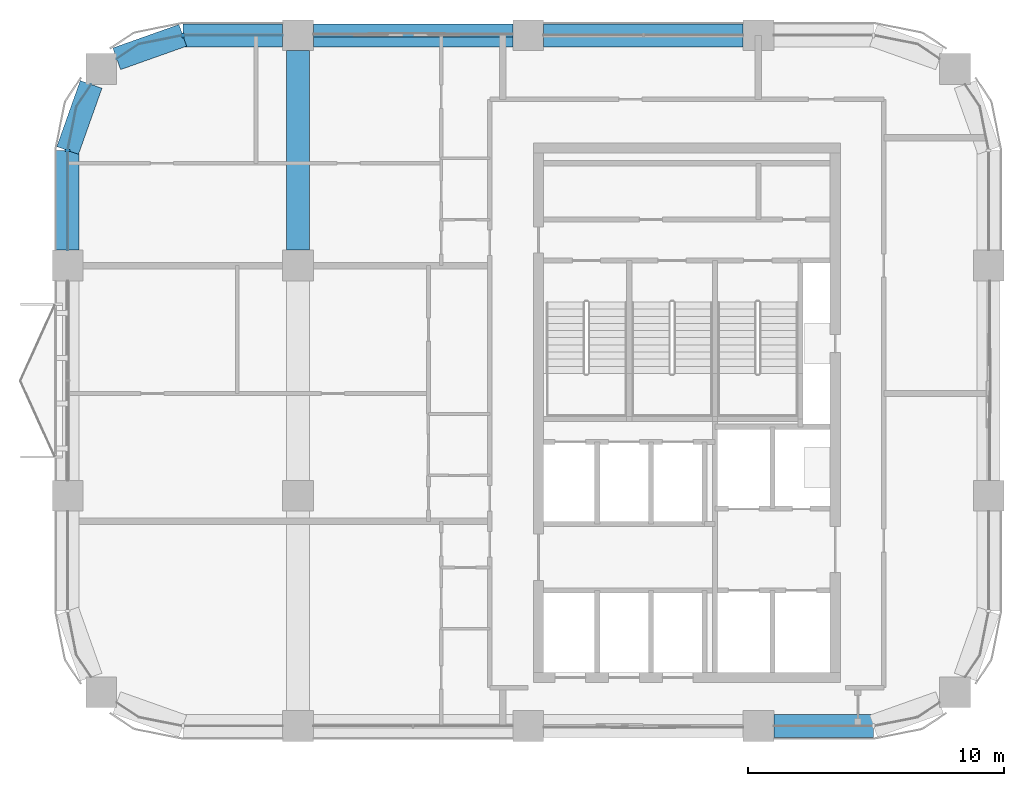
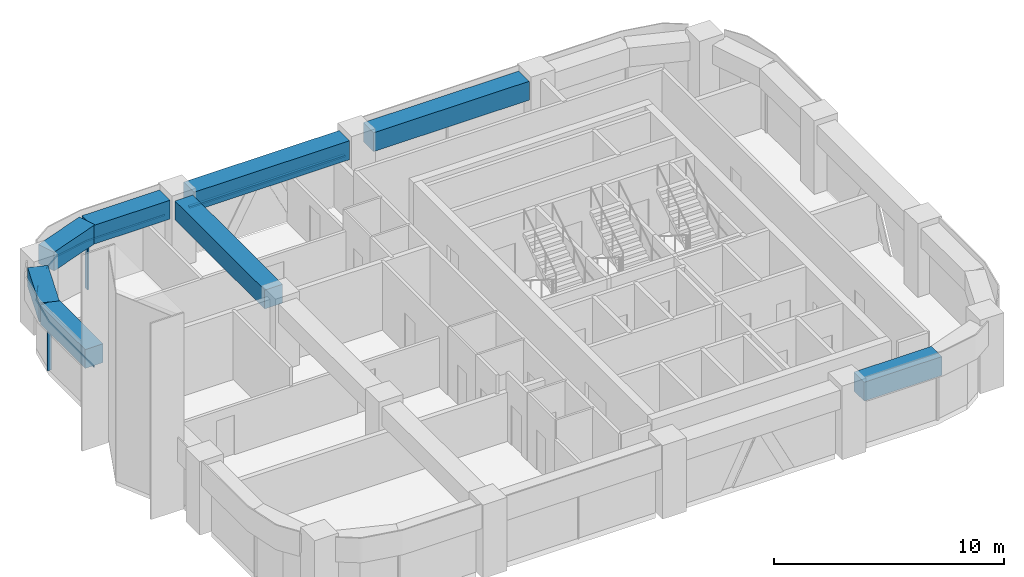
# One storey, part 3 of 10: 8 beams, 5 members, 3 elements without a shape of their own.
"""IFC4 building model written with IfcOpenShell, lengths in metres."""

from ifc_helpers import new_model, si_unit, direction, frame, origin, origin_2d, place, context, subcontext, project, spatial, polyline, rectangle, outline, extrude, material, material_profile, profile_set, type_object, element, aggregate, save


model = new_model("IFC4")

# Units and contexts
model_context = context("Model", 3, precision=1e-05, world=origin(), true_north=direction((0.0, 1.0)))
body_context = subcontext(model_context, "Body", "Model", "MODEL_VIEW")
ifc_project = project(units=[si_unit("LENGTHUNIT", "METRE"), si_unit("AREAUNIT", "SQUARE_METRE"), si_unit("VOLUMEUNIT", "CUBIC_METRE"), si_unit("PLANEANGLEUNIT", "RADIAN"), si_unit("MASSUNIT", "GRAM", prefix="KILO")], contexts=[model_context])

# Site, building, storey
site_placement = place(None, origin())
site = spatial("IfcSite", under=ifc_project, at=site_placement, CompositionType="ELEMENT")
building_placement = place(site_placement, origin())
building = spatial("IfcBuilding", under=site, at=building_placement, Name="Tessera Arch", CompositionType="ELEMENT")
storey_placement = place(building_placement, frame((0.0, 0.0, 238.39990234375)))
storey = spatial("IfcBuildingStorey", under=building, at=storey_placement, Name="L57", CompositionType="ELEMENT", Elevation=238.39990234375)

# Curtain wall, member
ifc_material_1 = material(Name="CW2 curtain wall")
curtain_wall_type_1 = type_object("IfcCurtainWallType", Name="CW2 curtain wall", PredefinedType="NOTDEFINED", material=ifc_material_1)
curtain_wall_1_placement = place(storey_placement, origin())
curtain_wall_1 = element("IfcCurtainWall", 1, at=curtain_wall_1_placement, inside=storey, type_object=curtain_wall_type_1, Name="CW2 curtain wall N54.18/3 L57", PredefinedType="NOTDEFINED")
ifc_material_2 = material(Name="Anodised aluminium pale metal", Category="aluminium")
ifc_material_profile_1 = material_profile(ifc_material_2, rectangle(XDim=0.199951171875, YDim=0.080078125, at=origin_2d()), Name="AL 80x200")
ifc_profile_set_1 = profile_set([ifc_material_profile_1], Name="Anodised aluminium pale metal")
member_type_1 = type_object("IfcMemberType", Name="CW2 mullion", PredefinedType="MULLION", material=ifc_profile_set_1)
member_1_placement = place(storey_placement, frame((22.5, 54.0, 0.0), z_axis=(0.0, 0.0, 1.0), x_axis=(0.0, -1.0, 0.0)))
member_1 = element("IfcMember", 2, at=member_1_placement, type_object=member_type_1, Name="CW2 mullion N54.18/3 1", PredefinedType="MULLION", context=body_context, shape_type="SweptSolid", body=[
    extrude(rectangle(XDim=0.199951171875, YDim=0.080078125, at=origin_2d()), origin(), (0.0, 0.0, 1.0), 2.5),
])

curtain_wall_2_placement = place(storey_placement, origin())
curtain_wall_2 = element("IfcCurtainWall", 3, at=curtain_wall_2_placement, inside=storey, type_object=curtain_wall_type_1, Name="CW2 curtain wall W18.27/0 L57", PredefinedType="NOTDEFINED")
member_2_placement = place(storey_placement, frame((18.0, 49.5, 0.0), z_axis=(0.0, 0.0, 1.0), x_axis=(1.0, 0.0, 0.0)))
member_2 = element("IfcMember", 4, at=member_2_placement, type_object=member_type_1, Name="CW2 mullion W18.27/0 1", PredefinedType="MULLION", context=body_context, shape_type="SweptSolid", body=[
    extrude(rectangle(XDim=0.199951171875, YDim=0.080078125, at=origin_2d()), origin(), (0.0, 0.0, 1.0), 2.5),
])

# Member
ifc_material_3 = material(Name="Anodised aluminium pale metal", Category="aluminium")
ifc_material_profile_2 = material_profile(ifc_material_3, rectangle(XDim=0.199951171875, YDim=0.10009765625, at=origin_2d()), Name="AL 200x100")
ifc_profile_set_2 = profile_set([ifc_material_profile_2], Name="Anodised aluminium pale metal")
member_type_2 = type_object("IfcMemberType", Name="CW2 transom", PredefinedType="USERDEFINED", material=ifc_profile_set_2)
member_3_placement = place(storey_placement, frame((0.0, 0.0, 2.5)))
member_3 = element("IfcMember", 5, at=member_3_placement, type_object=member_type_2, Name="CW2 transom N54.18/3 1", ObjectType="TRANSOM", PredefinedType="USERDEFINED", context=body_context, shape_type="SweptSolid", body=[
    extrude(outline(polyline([(22.5009765625, 53.989990234375), (26.39990234375, 53.989990234375), (26.39990234375, 54.010009765625), (22.4990234375, 54.010009765625), (20.77392578125, 53.6669921875), (19.912353515625, 53.09130859375), (19.923583984375, 53.07470703125), (20.78173828125, 53.648193359375), (22.5009765625, 53.989990234375)])), origin(), (0.0, 0.0, 1.0), 0.10009765625),
])

aggregate(curtain_wall_1, [member_1, member_3])

member_4_placement = place(storey_placement, frame((0.0, 0.0, 2.5)))
member_4 = element("IfcMember", 6, at=member_4_placement, type_object=member_type_2, Name="CW2 transom W18.27/0 1", ObjectType="TRANSOM", PredefinedType="USERDEFINED", context=body_context, shape_type="SweptSolid", body=[
    extrude(outline(polyline([(18.351806640625, 51.21826171875), (18.92529296875, 52.076416015625), (18.90869140625, 52.087646484375), (18.3330078125, 51.22607421875), (17.989990234375, 49.5009765625), (17.989990234375, 45.60009765625), (18.010009765625, 45.60009765625), (18.010009765625, 49.4990234375), (18.351806640625, 51.21826171875)])), origin(), (0.0, 0.0, 1.0), 0.10009765625),
])

aggregate(curtain_wall_2, [member_2, member_4])

# Curtain wall, member
ifc_material_4 = material(Name="CW3 curtain wall")
curtain_wall_type_2 = type_object("IfcCurtainWallType", Name="CW3 curtain wall", PredefinedType="NOTDEFINED", material=ifc_material_4)
curtain_wall_3_placement = place(storey_placement, origin())
curtain_wall_3 = element("IfcCurtainWall", 7, at=curtain_wall_3_placement, inside=storey, type_object=curtain_wall_type_2, Name="CW3 curtain wall N54.18/2 L57", PredefinedType="NOTDEFINED")
ifc_material_5 = material(Name="Anodised aluminium pale metal", Category="aluminium")
ifc_material_profile_3 = material_profile(ifc_material_5, rectangle(XDim=0.139892578125, YDim=0.10009765625, at=origin_2d()), Name="AL 140x100")
ifc_profile_set_3 = profile_set([ifc_material_profile_3], Name="Anodised aluminium pale metal")
member_type_3 = type_object("IfcMemberType", Name="CW3 transom", PredefinedType="USERDEFINED", material=ifc_profile_set_3)
member_5_placement = place(storey_placement, frame((35.39990234375, 54.0, 2.550048828125), z_axis=(-1.0, 0.0, 0.0), x_axis=(0.0, -1.0, 0.0)))
member_5 = element("IfcMember", 8, at=member_5_placement, type_object=member_type_3, Name="CW3 transom N54.18/2 1.1", ObjectType="TRANSOM", PredefinedType="USERDEFINED", context=body_context, shape_type="SweptSolid", body=[
    extrude(rectangle(XDim=0.139892578125, YDim=0.10009765625, at=origin_2d()), origin(), (0.0, 0.0, 1.0), 7.7998046875),
])
aggregate(curtain_wall_3, [member_5])

# Beams
ifc_material_6 = material(Name="Concrete C60/75", Category="concrete")
ifc_material_profile_4 = material_profile(ifc_material_6, rectangle(XDim=0.89990234375, YDim=1.0, at=origin_2d()), Name="RC spandrel beam 900 x 1000 Concrete C60/75")
ifc_profile_set_4 = profile_set([ifc_material_profile_4], Name="Concrete C60/75")
beam_type = type_object("IfcBeamType", Name="RC spandrel beam 900 x 1000 Concrete C60/75", PredefinedType="BEAM", material=ifc_profile_set_4)
for number, where, z_axis, x_axis, name in (
    (9, (44.39990234375, 54.0, 3.10009765625), (-1.0, 0.0, 0.0), (0.0, -1.0, 0.0), "Spandrel beam L57 N54.18/1"),
    (10, (35.39990234375, 54.0, 3.10009765625), (-1.0, 0.0, 0.0), (0.0, -1.0, 0.0), "Spandrel beam L57 N54.18/2"),
):
    element("IfcBeam", number, at=place(storey_placement, frame(where, z_axis=z_axis, x_axis=x_axis)), inside=storey, type_object=beam_type, Name=name, PredefinedType="BEAM", context=body_context, shape_type="SweptSolid", body=[
        extrude(rectangle(XDim=0.89990234375, YDim=1.0, at=origin_2d()), origin(), (0.0, 0.0, 1.0), 7.7998046875),
    ])
beam_1_placement = place(storey_placement, frame((26.39990234375, 54.0, 3.10009765625), z_axis=(-1.0, 0.0, 0.0), x_axis=(0.0, -1.0, 0.0)))
element("IfcBeam", 11, at=beam_1_placement, inside=storey, type_object=beam_type, Name="Spandrel beam L57 N54.18/3.1", PredefinedType="BEAM", context=body_context, shape_type="SweptSolid", body=[
    extrude(rectangle(XDim=0.89990234375, YDim=1.0, at=origin_2d()), origin(), (0.0, 0.0, 1.0), 3.89990234375),
])
for number, where, z_axis, x_axis, name in (
    (12, (22.5, 54.0, 3.10009765625), (-0.942337127159, -0.334665114373, 0.0), (0.334665114373, -0.942337127159, 0.0), "Spandrel beam L57 N54.18/3.2"),
    (13, (18.9169921875, 52.08203125, 3.10009765625), (-0.334665114373, -0.942337127159, 0.0), (0.942337127159, -0.334665114373, 0.0), "Spandrel beam L57 W18.27/0.1"),
):
    element("IfcBeam", number, at=place(storey_placement, frame(where, z_axis=z_axis, x_axis=x_axis)), inside=storey, type_object=beam_type, Name=name, PredefinedType="BEAM", context=body_context, shape_type="SweptSolid", body=[
        extrude(rectangle(XDim=0.89990234375, YDim=1.0, at=origin_2d()), origin(), (0.0, 0.0, 1.0), 2.739990234375),
    ])
for number, where, z_axis, x_axis, name in (
    (14, (18.0, 49.5, 3.10009765625), (0.0, -1.0, 0.0), (1.0, 0.0, 0.0), "Spandrel beam L57 W18.27/0.2"),
    (15, (45.60009765625, 27.0, 3.10009765625), (1.0, 0.0, 0.0), (0.0, 1.0, 0.0), "Spandrel beam L57 S27.18/3.1"),
):
    element("IfcBeam", number, at=place(storey_placement, frame(where, z_axis=z_axis, x_axis=x_axis)), inside=storey, type_object=beam_type, Name=name, PredefinedType="BEAM", context=body_context, shape_type="SweptSolid", body=[
        extrude(rectangle(XDim=0.89990234375, YDim=1.0, at=origin_2d()), origin(), (0.0, 0.0, 1.0), 3.89990234375),
    ])
beam_2_placement = place(storey_placement, frame((27.0, 45.60009765625, 3.10009765625), z_axis=(0.0, 1.0, 0.0), x_axis=(-1.0, 0.0, 0.0)))
element("IfcBeam", 16, at=beam_2_placement, inside=storey, type_object=beam_type, Name="Interface beam L57 I0C4F-C4G", PredefinedType="BEAM", context=body_context, shape_type="SweptSolid", body=[
    extrude(rectangle(XDim=0.89990234375, YDim=1.0, at=origin_2d()), origin(), (0.0, 0.0, 1.0), 7.7998046875),
])

save(model, "model.ifc")
